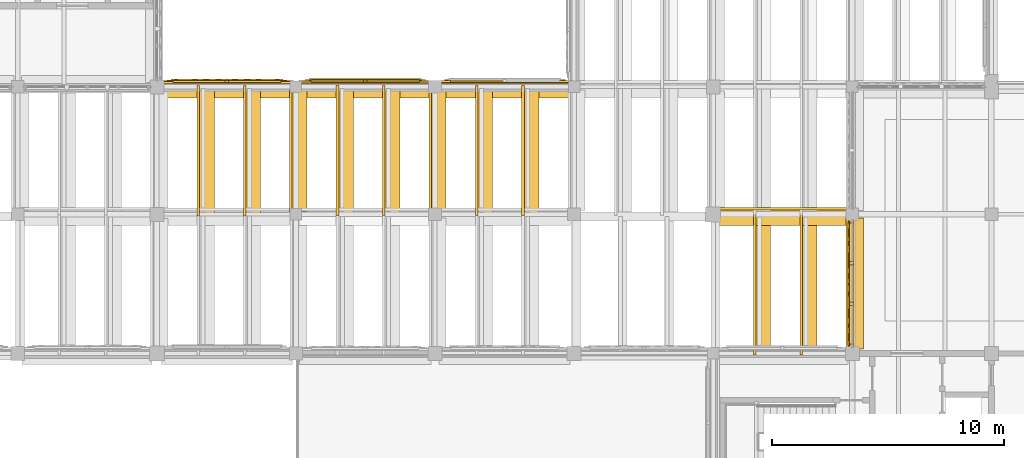
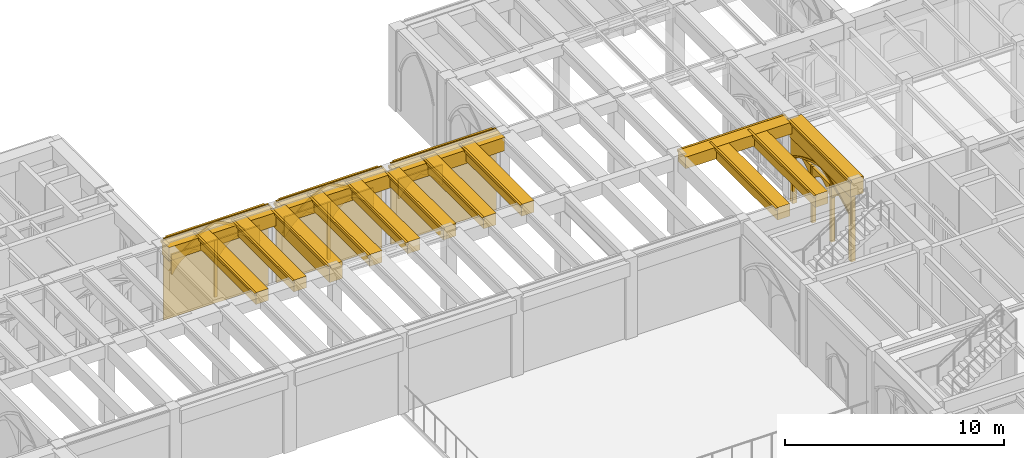
# One storey, part 103 of 127: 52 coverings.
"""IFC4 building model written with IfcOpenShell, lengths in metres."""

from ifc_helpers import new_model, si_unit, direction, frame, origin, origin_2d, place, context, subcontext, project, spatial, polyline, rectangle, outline, extrude, material, type_object, element, save


model = new_model("IFC4")

# Units and contexts
model_context = context("Model", 3, precision=1e-05, world=origin(), true_north=direction((0.0, 1.0)))
body_context = subcontext(model_context, "Body", "Model", "MODEL_VIEW")
ifc_project = project(units=[si_unit("LENGTHUNIT", "METRE"), si_unit("AREAUNIT", "SQUARE_METRE"), si_unit("VOLUMEUNIT", "CUBIC_METRE"), si_unit("PLANEANGLEUNIT", "RADIAN"), si_unit("MASSUNIT", "GRAM", prefix="KILO")], contexts=[model_context])

# Site, building, storey
site_placement = place(None, origin())
site = spatial("IfcSite", under=ifc_project, at=site_placement, CompositionType="ELEMENT")
building_placement = place(site_placement, origin())
building = spatial("IfcBuilding", under=site, at=building_placement, Name="Cumevento Cable Car Station", CompositionType="ELEMENT")
storey_placement = place(building_placement, frame((0.0, 0.0, 4.5)))
storey = spatial("IfcBuildingStorey", under=building, at=storey_placement, Name="L02", CompositionType="ELEMENT", Elevation=4.5)

# Coverings
ifc_material = material(Name="Gnaisse Facoidal Stone Ashlar 85 MPa", Category="masonry")
covering_type = type_object("IfcCoveringType", Name="Gnaisse Ashlar Cladding CV-CL01", PredefinedType="CLADDING", material=ifc_material)
covering_1_placement = place(storey_placement, frame((37.02490234375, 56.35009765625, 3.682861328125), z_axis=(0.0, 0.0, 1.0), x_axis=(1.0, 0.0, 0.0)))
element("IfcCovering", 1, at=covering_1_placement, inside=storey, type_object=covering_type, Name="Gothic Stone Spandrel Stringcourse sc:0362", PredefinedType="CLADDING", context=body_context, shape_type="SweptSolid", body=[
    extrude(rectangle(XDim=5.68994140625, YDim=0.659912109375, at=origin_2d()), origin(), (0.0, 0.0, 1.0), 0.7470703125),
])
covering_2_placement = place(storey_placement, frame((37.02490234375, 56.70751953125, 4.300048828125), z_axis=(0.0, 0.0, 1.0), x_axis=(1.0, 0.0, 0.0)))
element("IfcCovering", 2, at=covering_2_placement, inside=storey, type_object=covering_type, Name="Gothic Cornice Dripstone Lip sc:0362", PredefinedType="CLADDING", context=body_context, shape_type="SweptSolid", body=[
    extrude(rectangle(XDim=5.72998046875, YDim=0.114990234375, at=origin_2d()), origin(), (0.0, 0.0, 1.0), 0.1298828125),
])
covering_3_placement = place(storey_placement, frame((42.987548828125, 56.35009765625, 3.682861328125), z_axis=(0.0, 0.0, 1.0), x_axis=(1.0, 0.0, 0.0)))
element("IfcCovering", 3, at=covering_3_placement, inside=storey, type_object=covering_type, Name="Gothic Stone Spandrel Stringcourse sc:0363", PredefinedType="CLADDING", context=body_context, shape_type="SweptSolid", body=[
    extrude(rectangle(XDim=5.715087890625, YDim=0.659912109375, at=origin_2d()), origin(), (0.0, 0.0, 1.0), 0.7470703125),
])
covering_4_placement = place(storey_placement, frame((42.987548828125, 56.70751953125, 4.300048828125), z_axis=(0.0, 0.0, 1.0), x_axis=(1.0, 0.0, 0.0)))
element("IfcCovering", 4, at=covering_4_placement, inside=storey, type_object=covering_type, Name="Gothic Cornice Dripstone Lip sc:0363", PredefinedType="CLADDING", context=body_context, shape_type="SweptSolid", body=[
    extrude(rectangle(XDim=5.7548828125, YDim=0.114990234375, at=origin_2d()), origin(), (0.0, 0.0, 1.0), 0.1298828125),
])
covering_5_placement = place(storey_placement, frame((49.012451171875, 56.35009765625, 3.64306640625), z_axis=(0.0, 0.0, 1.0), x_axis=(1.0, 0.0, 0.0)))
element("IfcCovering", 5, at=covering_5_placement, inside=storey, type_object=covering_type, Name="Gothic Stone Spandrel Stringcourse sc:0364", PredefinedType="CLADDING", context=body_context, shape_type="SweptSolid", body=[
    extrude(rectangle(XDim=5.715087890625, YDim=0.659912109375, at=origin_2d()), origin(), (0.0, 0.0, 1.0), 0.7470703125),
])
covering_6_placement = place(storey_placement, frame((49.012451171875, 56.70751953125, 4.260009765625), z_axis=(0.0, 0.0, 1.0), x_axis=(1.0, 0.0, 0.0)))
element("IfcCovering", 6, at=covering_6_placement, inside=storey, type_object=covering_type, Name="Gothic Cornice Dripstone Lip sc:0364", PredefinedType="CLADDING", context=body_context, shape_type="SweptSolid", body=[
    extrude(rectangle(XDim=5.7548828125, YDim=0.114990234375, at=origin_2d()), origin(), (0.0, 0.0, 1.0), 0.1298828125),
])
covering_7_placement = place(storey_placement, frame((40.14306640625, 53.75, 3.48193359375), z_axis=(0.0, 0.0, 1.0), x_axis=(0.0, 1.0, 0.0)))
element("IfcCovering", 7, at=covering_7_placement, inside=storey, type_object=covering_type, Name="Gothic Stone Spandrel Stringcourse sc:0372", PredefinedType="CLADDING", context=body_context, shape_type="SweptSolid", body=[
    extrude(rectangle(XDim=5.239990234375, YDim=0.674072265625, at=origin_2d()), origin(), (0.0, 0.0, 1.0), 0.947998046875),
])
covering_8_placement = place(storey_placement, frame((39.778564453125, 53.75, 4.300048828125), z_axis=(0.0, 0.0, 1.0), x_axis=(0.0, 1.0, 0.0)))
element("IfcCovering", 8, at=covering_8_placement, inside=storey, type_object=covering_type, Name="Gothic Cornice Dripstone Lip sc:0372", PredefinedType="CLADDING", context=body_context, shape_type="SweptSolid", body=[
    extrude(rectangle(XDim=5.280029296875, YDim=0.114990234375, at=origin_2d()), origin(), (0.0, 0.0, 1.0), 0.1298828125),
])
covering_9_placement = place(storey_placement, frame((46.148681640625, 53.75, 3.73583984375), z_axis=(0.0, 0.0, 1.0), x_axis=(0.0, 1.0, 0.0)))
element("IfcCovering", 9, at=covering_9_placement, inside=storey, type_object=covering_type, Name="Gothic Stone Spandrel Stringcourse sc:0374", PredefinedType="CLADDING", context=body_context, shape_type="SweptSolid", body=[
    extrude(rectangle(XDim=5.18994140625, YDim=0.66259765625, at=origin_2d()), origin(), (0.0, 0.0, 1.0), 0.694091796875),
])
covering_10_placement = place(storey_placement, frame((45.7900390625, 53.75, 4.300048828125), z_axis=(0.0, 0.0, 1.0), x_axis=(0.0, 1.0, 0.0)))
element("IfcCovering", 10, at=covering_10_placement, inside=storey, type_object=covering_type, Name="Gothic Cornice Dripstone Lip sc:0374", PredefinedType="CLADDING", context=body_context, shape_type="SweptSolid", body=[
    extrude(rectangle(XDim=5.22998046875, YDim=0.114990234375, at=origin_2d()), origin(), (0.0, 0.0, 1.0), 0.1298828125),
])
covering_11_placement = place(storey_placement, frame((61.02490234375, 50.863525390625, 3.743896484375), z_axis=(0.0, 0.0, 1.0), x_axis=(1.0, 0.0, 0.0)))
element("IfcCovering", 11, at=covering_11_placement, inside=storey, type_object=covering_type, Name="Gothic Stone Spandrel Stringcourse sc:0385", PredefinedType="CLADDING", context=body_context, shape_type="SweptSolid", body=[
    extrude(rectangle(XDim=5.639892578125, YDim=0.68701171875, at=origin_2d()), origin(), (0.0, 0.0, 1.0), 0.64599609375),
])
covering_12_placement = place(storey_placement, frame((61.02490234375, 51.234619140625, 4.260009765625), z_axis=(0.0, 0.0, 1.0), x_axis=(1.0, 0.0, 0.0)))
element("IfcCovering", 12, at=covering_12_placement, inside=storey, type_object=covering_type, Name="Gothic Cornice Dripstone Lip sc:0385", PredefinedType="CLADDING", context=body_context, shape_type="SweptSolid", body=[
    extrude(rectangle(XDim=5.679931640625, YDim=0.114990234375, at=origin_2d()), origin(), (0.0, 0.0, 1.0), 0.1298828125),
])
covering_13_placement = place(storey_placement, frame((64.14306640625, 48.012451171875, 3.44189453125), z_axis=(0.0, 0.0, 1.0), x_axis=(0.0, 1.0, 0.0)))
element("IfcCovering", 13, at=covering_13_placement, inside=storey, type_object=covering_type, Name="Gothic Stone Spandrel Stringcourse sc:0390", PredefinedType="CLADDING", context=body_context, shape_type="SweptSolid", body=[
    extrude(rectangle(XDim=5.6650390625, YDim=0.674072265625, at=origin_2d()), origin(), (0.0, 0.0, 1.0), 0.947998046875),
])
covering_14_placement = place(storey_placement, frame((63.778564453125, 48.012451171875, 4.260009765625), z_axis=(0.0, 0.0, 1.0), x_axis=(0.0, 1.0, 0.0)))
element("IfcCovering", 14, at=covering_14_placement, inside=storey, type_object=covering_type, Name="Gothic Cornice Dripstone Lip sc:0390", PredefinedType="CLADDING", context=body_context, shape_type="SweptSolid", body=[
    extrude(rectangle(XDim=5.705078125, YDim=0.114990234375, at=origin_2d()), origin(), (0.0, 0.0, 1.0), 0.1298828125),
])
covering_15_placement = place(storey_placement, frame((36.14990234375, 53.742431640625, 3.77294921875), z_axis=(0.0, 0.0, 1.0), x_axis=(0.0, 1.0, 0.0)))
element("IfcCovering", 15, at=covering_15_placement, inside=storey, type_object=covering_type, Name="Gothic Stone Spandrel Stringcourse sc:0501", PredefinedType="CLADDING", context=body_context, shape_type="SweptSolid", body=[
    extrude(rectangle(XDim=5.60107421875, YDim=0.659912109375, at=origin_2d()), origin(), (0.0, 0.0, 1.0), 0.656982421875),
])
covering_16_placement = place(storey_placement, frame((35.79248046875, 53.742431640625, 4.300048828125), z_axis=(0.0, 0.0, 1.0), x_axis=(0.0, 1.0, 0.0)))
element("IfcCovering", 16, at=covering_16_placement, inside=storey, type_object=covering_type, Name="Gothic Cornice Dripstone Lip sc:0501", PredefinedType="CLADDING", context=body_context, shape_type="SweptSolid", body=[
    extrude(rectangle(XDim=5.64111328125, YDim=0.114990234375, at=origin_2d()), origin(), (0.0, 0.0, 1.0), 0.1298828125),
])
covering_17_placement = place(storey_placement, frame((38.14990234375, 53.742431640625, 3.77294921875), z_axis=(0.0, 0.0, 1.0), x_axis=(0.0, 1.0, 0.0)))
element("IfcCovering", 17, at=covering_17_placement, inside=storey, type_object=covering_type, Name="Gothic Stone Spandrel Stringcourse sc:0503", PredefinedType="CLADDING", context=body_context, shape_type="SweptSolid", body=[
    extrude(rectangle(XDim=5.60107421875, YDim=0.659912109375, at=origin_2d()), origin(), (0.0, 0.0, 1.0), 0.656982421875),
])
covering_18_placement = place(storey_placement, frame((37.79248046875, 53.742431640625, 4.300048828125), z_axis=(0.0, 0.0, 1.0), x_axis=(0.0, 1.0, 0.0)))
element("IfcCovering", 18, at=covering_18_placement, inside=storey, type_object=covering_type, Name="Gothic Cornice Dripstone Lip sc:0503", PredefinedType="CLADDING", context=body_context, shape_type="SweptSolid", body=[
    extrude(rectangle(XDim=5.64111328125, YDim=0.114990234375, at=origin_2d()), origin(), (0.0, 0.0, 1.0), 0.1298828125),
])
covering_19_placement = place(storey_placement, frame((42.14990234375, 53.75634765625, 3.77294921875), z_axis=(0.0, 0.0, 1.0), x_axis=(0.0, 1.0, 0.0)))
element("IfcCovering", 19, at=covering_19_placement, inside=storey, type_object=covering_type, Name="Gothic Stone Spandrel Stringcourse sc:0505", PredefinedType="CLADDING", context=body_context, shape_type="SweptSolid", body=[
    extrude(rectangle(XDim=5.573486328125, YDim=0.659912109375, at=origin_2d()), origin(), (0.0, 0.0, 1.0), 0.656982421875),
])
covering_20_placement = place(storey_placement, frame((41.79248046875, 53.75634765625, 4.300048828125), z_axis=(0.0, 0.0, 1.0), x_axis=(0.0, 1.0, 0.0)))
element("IfcCovering", 20, at=covering_20_placement, inside=storey, type_object=covering_type, Name="Gothic Cornice Dripstone Lip sc:0505", PredefinedType="CLADDING", context=body_context, shape_type="SweptSolid", body=[
    extrude(rectangle(XDim=5.613525390625, YDim=0.114990234375, at=origin_2d()), origin(), (0.0, 0.0, 1.0), 0.1298828125),
])
covering_21_placement = place(storey_placement, frame((44.14990234375, 53.75634765625, 3.77294921875), z_axis=(0.0, 0.0, 1.0), x_axis=(0.0, 1.0, 0.0)))
element("IfcCovering", 21, at=covering_21_placement, inside=storey, type_object=covering_type, Name="Gothic Stone Spandrel Stringcourse sc:0507", PredefinedType="CLADDING", context=body_context, shape_type="SweptSolid", body=[
    extrude(rectangle(XDim=5.573486328125, YDim=0.659912109375, at=origin_2d()), origin(), (0.0, 0.0, 1.0), 0.656982421875),
])
covering_22_placement = place(storey_placement, frame((43.79248046875, 53.75634765625, 4.300048828125), z_axis=(0.0, 0.0, 1.0), x_axis=(0.0, 1.0, 0.0)))
element("IfcCovering", 22, at=covering_22_placement, inside=storey, type_object=covering_type, Name="Gothic Cornice Dripstone Lip sc:0507", PredefinedType="CLADDING", context=body_context, shape_type="SweptSolid", body=[
    extrude(rectangle(XDim=5.613525390625, YDim=0.114990234375, at=origin_2d()), origin(), (0.0, 0.0, 1.0), 0.1298828125),
])
covering_23_placement = place(storey_placement, frame((48.14990234375, 53.75048828125, 3.77294921875), z_axis=(0.0, 0.0, 1.0), x_axis=(0.0, 1.0, 0.0)))
element("IfcCovering", 23, at=covering_23_placement, inside=storey, type_object=covering_type, Name="Gothic Stone Spandrel Stringcourse sc:0509", PredefinedType="CLADDING", context=body_context, shape_type="SweptSolid", body=[
    extrude(rectangle(XDim=5.5849609375, YDim=0.659912109375, at=origin_2d()), origin(), (0.0, 0.0, 1.0), 0.656982421875),
])
covering_24_placement = place(storey_placement, frame((47.79248046875, 53.75048828125, 4.300048828125), z_axis=(0.0, 0.0, 1.0), x_axis=(0.0, 1.0, 0.0)))
element("IfcCovering", 24, at=covering_24_placement, inside=storey, type_object=covering_type, Name="Gothic Cornice Dripstone Lip sc:0509", PredefinedType="CLADDING", context=body_context, shape_type="SweptSolid", body=[
    extrude(rectangle(XDim=5.625, YDim=0.114990234375, at=origin_2d()), origin(), (0.0, 0.0, 1.0), 0.1298828125),
])
covering_25_placement = place(storey_placement, frame((50.14990234375, 53.75048828125, 3.77294921875), z_axis=(0.0, 0.0, 1.0), x_axis=(0.0, 1.0, 0.0)))
element("IfcCovering", 25, at=covering_25_placement, inside=storey, type_object=covering_type, Name="Gothic Stone Spandrel Stringcourse sc:0511", PredefinedType="CLADDING", context=body_context, shape_type="SweptSolid", body=[
    extrude(rectangle(XDim=5.5849609375, YDim=0.659912109375, at=origin_2d()), origin(), (0.0, 0.0, 1.0), 0.656982421875),
])
covering_26_placement = place(storey_placement, frame((49.79248046875, 53.75048828125, 4.300048828125), z_axis=(0.0, 0.0, 1.0), x_axis=(0.0, 1.0, 0.0)))
element("IfcCovering", 26, at=covering_26_placement, inside=storey, type_object=covering_type, Name="Gothic Cornice Dripstone Lip sc:0511", PredefinedType="CLADDING", context=body_context, shape_type="SweptSolid", body=[
    extrude(rectangle(XDim=5.625, YDim=0.114990234375, at=origin_2d()), origin(), (0.0, 0.0, 1.0), 0.1298828125),
])
covering_27_placement = place(storey_placement, frame((60.14990234375, 47.9814453125, 3.69482421875), z_axis=(0.0, 0.0, 1.0), x_axis=(0.0, 1.0, 0.0)))
element("IfcCovering", 27, at=covering_27_placement, inside=storey, type_object=covering_type, Name="Gothic Stone Spandrel Stringcourse sc:0516", PredefinedType="CLADDING", context=body_context, shape_type="SweptSolid", body=[
    extrude(rectangle(XDim=6.047119140625, YDim=0.659912109375, at=origin_2d()), origin(), (0.0, 0.0, 1.0), 0.695068359375),
])
covering_28_placement = place(storey_placement, frame((59.79248046875, 47.9814453125, 4.260009765625), z_axis=(0.0, 0.0, 1.0), x_axis=(0.0, 1.0, 0.0)))
element("IfcCovering", 28, at=covering_28_placement, inside=storey, type_object=covering_type, Name="Gothic Cornice Dripstone Lip sc:0516", PredefinedType="CLADDING", context=body_context, shape_type="SweptSolid", body=[
    extrude(rectangle(XDim=6.0869140625, YDim=0.114990234375, at=origin_2d()), origin(), (0.0, 0.0, 1.0), 0.1298828125),
])
covering_29_placement = place(storey_placement, frame((62.14990234375, 47.9814453125, 3.69482421875), z_axis=(0.0, 0.0, 1.0), x_axis=(0.0, 1.0, 0.0)))
element("IfcCovering", 29, at=covering_29_placement, inside=storey, type_object=covering_type, Name="Gothic Stone Spandrel Stringcourse sc:0518", PredefinedType="CLADDING", context=body_context, shape_type="SweptSolid", body=[
    extrude(rectangle(XDim=6.047119140625, YDim=0.659912109375, at=origin_2d()), origin(), (0.0, 0.0, 1.0), 0.695068359375),
])
covering_30_placement = place(storey_placement, frame((61.79248046875, 47.9814453125, 4.260009765625), z_axis=(0.0, 0.0, 1.0), x_axis=(0.0, 1.0, 0.0)))
element("IfcCovering", 30, at=covering_30_placement, inside=storey, type_object=covering_type, Name="Gothic Cornice Dripstone Lip sc:0518", PredefinedType="CLADDING", context=body_context, shape_type="SweptSolid", body=[
    extrude(rectangle(XDim=6.0869140625, YDim=0.114990234375, at=origin_2d()), origin(), (0.0, 0.0, 1.0), 0.1298828125),
])
placement_1 = place(storey_placement, frame((64.0, 45.300048828125, -0.219970703125), z_axis=(0.0, 0.0, 1.0), x_axis=(0.0, 1.0, 0.0)))
element("IfcCovering", 31, at=placement_1, inside=storey, type_object=covering_type, Name="Gothic Ogival Pointed-Arch Stone Spandrel cw_ogival:0062", PredefinedType="CLADDING", context=body_context, shape_type="SweptSolid", body=[
    extrude(outline(polyline([(-0.080078125, 0.0), (-0.080078125, 3.802001953125), (5.5048828125, 3.802001953125), (5.5048828125, 0.0), (5.264892578125, 0.0), (5.264892578125, 2.626953125), (4.9658203125, 2.794921875), (4.659912109375, 2.950439453125), (4.34765625, 3.0927734375), (4.02978515625, 3.221923828125), (3.706787109375, 3.337646484375), (3.379150390625, 3.439697265625), (3.047607421875, 3.52783203125), (2.71240234375, 3.60205078125), (2.37744140625, 3.52783203125), (2.0458984375, 3.439697265625), (1.71826171875, 3.337646484375), (1.395263671875, 3.221923828125), (1.077392578125, 3.0927734375), (0.76513671875, 2.950439453125), (0.459228515625, 2.794921875), (0.159912109375, 2.626953125), (0.159912109375, 0.0), (-0.080078125, 0.0)])), frame((0.0, 0.139892578125, 0.0), z_axis=(0.0, -1.0, 0.0), x_axis=(1.0, 0.0, 0.0)), (0.0, 0.0, 1.0), 0.219970703125),
])
covering_32_placement = place(storey_placement, frame((64.0, 45.300048828125, 2.406982421875), z_axis=(0.0, 0.0, 1.0), x_axis=(0.0, 1.0, 0.0)))
element("IfcCovering", 32, at=covering_32_placement, inside=storey, type_object=covering_type, Name="Gothic Pointed Archivolt Hood Moulding cw_ogival:0062", PredefinedType="CLADDING", context=body_context, shape_type="SweptSolid", body=[
    extrude(outline(polyline([(0.159912109375, 0.0), (0.459228515625, 0.16796875), (0.76513671875, 0.323486328125), (1.077392578125, 0.4658203125), (1.395263671875, 0.594970703125), (1.71826171875, 0.710693359375), (2.0458984375, 0.812744140625), (2.37744140625, 0.90087890625), (2.71240234375, 0.97509765625), (3.047607421875, 0.90087890625), (3.379150390625, 0.812744140625), (3.706787109375, 0.710693359375), (4.02978515625, 0.594970703125), (4.34765625, 0.4658203125), (4.659912109375, 0.323486328125), (4.9658203125, 0.16796875), (5.264892578125, 0.0), (5.375, 0.0), (5.06689453125, 0.191162109375), (4.750244140625, 0.3681640625), (4.426025390625, 0.530517578125), (4.094482421875, 0.677734375), (3.7568359375, 0.81005859375), (3.41357421875, 0.9267578125), (3.065185546875, 1.027587890625), (2.71240234375, 1.112548828125), (2.35986328125, 1.027587890625), (2.011474609375, 0.9267578125), (1.668212890625, 0.81005859375), (1.33056640625, 0.677734375), (0.9990234375, 0.530517578125), (0.6748046875, 0.3681640625), (0.358154296875, 0.191162109375), (0.050048828125, 0.0), (0.159912109375, 0.0)])), frame((0.0, 0.181884765625, 0.0), z_axis=(0.0, -1.0, 0.0), x_axis=(1.0, 0.0, 0.0)), (0.0, 0.0, 1.0), 0.06689453125),
])
element("IfcCovering", 33, at=placement_1, inside=storey, type_object=covering_type, Name="Gothic Bifora Stone Colonnette cw_ogival:0062 #1", PredefinedType="CLADDING", context=body_context, shape_type="SweptSolid", body=[
    extrude(outline(polyline([(1.76171875, -0.02001953125), (1.91162109375, -0.02001953125), (1.91162109375, 3.134033203125), (1.76171875, 3.134033203125), (1.76171875, -0.02001953125)])), frame((0.0, 0.1279296875, 0.0), z_axis=(0.0, -1.0, 0.0), x_axis=(1.0, 0.0, 0.0)), (0.0, 0.0, 1.0), 0.205078125),
])
element("IfcCovering", 34, at=placement_1, inside=storey, type_object=covering_type, Name="Gothic Bifora Stone Colonnette cw_ogival:0062 #2", PredefinedType="CLADDING", context=body_context, shape_type="SweptSolid", body=[
    extrude(outline(polyline([(3.513427734375, -0.02001953125), (3.663330078125, -0.02001953125), (3.663330078125, 3.134033203125), (3.513427734375, 3.134033203125), (3.513427734375, -0.02001953125)])), frame((0.0, 0.1279296875, 0.0), z_axis=(0.0, -1.0, 0.0), x_axis=(1.0, 0.0, 0.0)), (0.0, 0.0, 1.0), 0.205078125),
])
for number, where, z_axis, x_axis, name in (
    (35, (64.0, 45.429931640625, 2.226806640625), (0.0, 0.0, 1.0), (0.0, 1.0, 0.0), "Gothic Ogival Pointed-Arch Stone Spandrel cw_ogival:0062:sub:0"),
    (36, (64.0, 47.181640625, 2.226806640625), (0.0, 0.0, 1.0), (0.0, 1.0, 0.0), "Gothic Ogival Pointed-Arch Stone Spandrel cw_ogival:0062:sub:1"),
    (37, (64.0, 48.933349609375, 2.226806640625), (0.0, 0.0, 1.0), (0.0, 1.0, 0.0), "Gothic Ogival Pointed-Arch Stone Spandrel cw_ogival:0062:sub:2"),
):
    element("IfcCovering", number, at=place(storey_placement, frame(where, z_axis=z_axis, x_axis=x_axis)), inside=storey, type_object=covering_type, Name=name, PredefinedType="CLADDING", context=body_context, shape_type="SweptSolid", body=[
        extrude(outline(polyline([(-0.02001953125, 0.0), (-0.02001953125, 0.68701171875), (1.681640625, 0.68701171875), (1.681640625, 0.0), (1.62158203125, 0.0), (1.514404296875, 0.12451171875), (1.39599609375, 0.238525390625), (1.26708984375, 0.340576171875), (1.129150390625, 0.429931640625), (0.983154296875, 0.505615234375), (0.830810546875, 0.567138671875), (0.678466796875, 0.505615234375), (0.532470703125, 0.429931640625), (0.39453125, 0.340576171875), (0.265625, 0.238525390625), (0.147216796875, 0.12451171875), (0.0400390625, 0.0), (-0.02001953125, 0.0)])), frame((0.0, 0.1240234375, 0.0), z_axis=(0.0, -1.0, 0.0), x_axis=(1.0, 0.0, 0.0)), (0.0, 0.0, 1.0), 0.199951171875),
    ])
covering_35_placement = place(storey_placement, frame((34.300048828125, 56.5, 0.0), z_axis=(0.0, 0.0, 1.0), x_axis=(1.0, 0.0, 0.0)))
element("IfcCovering", 38, at=covering_35_placement, inside=storey, type_object=covering_type, Name="Exterior Gnaisse Stone Wall Ashlar #26", PredefinedType="CLADDING", context=body_context, shape_type="SweptSolid", body=[
    extrude(outline(polyline([(-0.0400390625, -0.02001953125), (5.489990234375, -0.02001953125), (5.489990234375, 4.52001953125), (-0.0400390625, 4.52001953125), (-0.0400390625, -0.02001953125)])), frame((0.0, 0.237548828125, 0.0), z_axis=(0.0, -1.0, 0.0), x_axis=(1.0, 0.0, 0.0)), (0.0, 0.0, 1.0), 0.0849609375),
])
placement_2 = place(storey_placement, frame((34.47998046875, 56.5, 0.300048828125), z_axis=(0.0, 0.0, 1.0), x_axis=(1.0, 0.0, 0.0)))
element("IfcCovering", 39, at=placement_2, inside=storey, type_object=covering_type, Name="Gothic Ogival Pointed-Arch Stone Spandrel blind_ogival:0026", PredefinedType="CLADDING", context=body_context, shape_type="SweptSolid", body=[
    extrude(outline(polyline([(-0.050048828125, 0.0), (-0.050048828125, 4.239990234375), (5.139892578125, 4.239990234375), (5.139892578125, 0.0), (4.830078125, 0.0), (4.830078125, 2.219970703125), (4.577880859375, 2.558349609375), (4.297119140625, 2.873291015625), (3.98974609375, 3.16259765625), (3.658203125, 3.423583984375), (3.30517578125, 3.65478515625), (2.93310546875, 3.85400390625), (2.544921875, 4.02001953125), (2.156982421875, 3.85400390625), (1.784912109375, 3.65478515625), (1.431884765625, 3.423583984375), (1.100341796875, 3.16259765625), (0.79296875, 2.873291015625), (0.51220703125, 2.558349609375), (0.260009765625, 2.219970703125), (0.260009765625, 0.0), (-0.050048828125, 0.0)])), frame((0.0, 0.29248046875, 0.0), z_axis=(0.0, -1.0, 0.0), x_axis=(1.0, 0.0, 0.0)), (0.0, 0.0, 1.0), 0.110107421875),
])
covering_37_placement = place(storey_placement, frame((34.47998046875, 56.5, 2.52001953125), z_axis=(0.0, 0.0, 1.0), x_axis=(1.0, 0.0, 0.0)))
element("IfcCovering", 40, at=covering_37_placement, inside=storey, type_object=covering_type, Name="Gothic Pointed Archivolt Hood Moulding blind_ogival:0026", PredefinedType="CLADDING", context=body_context, shape_type="SweptSolid", body=[
    extrude(outline(polyline([(0.260009765625, 0.0), (0.51220703125, 0.33837890625), (0.79296875, 0.6533203125), (1.100341796875, 0.942626953125), (1.431884765625, 1.20361328125), (1.784912109375, 1.434814453125), (2.156982421875, 1.634033203125), (2.544921875, 1.800048828125), (2.93310546875, 1.634033203125), (3.30517578125, 1.434814453125), (3.658203125, 1.20361328125), (3.98974609375, 0.942626953125), (4.297119140625, 0.6533203125), (4.577880859375, 0.33837890625), (4.830078125, 0.0), (4.950927734375, 0.0), (4.689453125, 0.36572265625), (4.396240234375, 0.706787109375), (4.07373046875, 1.020263671875), (3.724365234375, 1.303466796875), (3.351318359375, 1.554443359375), (2.95703125, 1.770751953125), (2.544921875, 1.951171875), (2.133056640625, 1.770751953125), (1.73876953125, 1.554443359375), (1.36572265625, 1.303466796875), (1.016357421875, 1.020263671875), (0.69384765625, 0.706787109375), (0.400634765625, 0.36572265625), (0.138916015625, 0.0), (0.260009765625, 0.0)])), frame((0.0, 0.33447265625, 0.0), z_axis=(0.0, -1.0, 0.0), x_axis=(1.0, 0.0, 0.0)), (0.0, 0.0, 1.0), 0.06689453125),
])
element("IfcCovering", 41, at=placement_2, inside=storey, type_object=covering_type, Name="Gothic Bifora Stone Colonnette blind_ogival:0026 #1", PredefinedType="CLADDING", context=body_context, shape_type="SweptSolid", body=[
    extrude(outline(polyline([(2.469970703125, -0.02001953125), (2.6201171875, -0.02001953125), (2.6201171875, 3.156005859375), (2.469970703125, 3.156005859375), (2.469970703125, -0.02001953125)])), frame((0.0, 0.280517578125, 0.0), z_axis=(0.0, -1.0, 0.0), x_axis=(1.0, 0.0, 0.0)), (0.0, 0.0, 1.0), 0.094970703125),
])
for number, where, z_axis, x_axis, name in (
    (42, (34.7099609375, 56.5, 2.340087890625), (0.0, 0.0, 1.0), (1.0, 0.0, 0.0), "Gothic Ogival Pointed-Arch Stone Spandrel blind_ogival:0026:sub:0"),
    (43, (37.070068359375, 56.5, 2.340087890625), (0.0, 0.0, 1.0), (1.0, 0.0, 0.0), "Gothic Ogival Pointed-Arch Stone Spandrel blind_ogival:0026:sub:1"),
):
    element("IfcCovering", number, at=place(storey_placement, frame(where, z_axis=z_axis, x_axis=x_axis)), inside=storey, type_object=covering_type, Name=name, PredefinedType="CLADDING", context=body_context, shape_type="SweptSolid", body=[
        extrude(outline(polyline([(-0.02001953125, 0.0), (-0.02001953125, 1.115966796875), (2.2900390625, 1.115966796875), (2.2900390625, 0.0), (2.22998046875, 0.0), (2.0986328125, 0.21435546875), (1.944091796875, 0.412353515625), (1.767822265625, 0.591796875), (1.57275390625, 0.750244140625), (1.36083984375, 0.885498046875), (1.135009765625, 0.99609375), (0.9091796875, 0.885498046875), (0.697265625, 0.750244140625), (0.502197265625, 0.591796875), (0.325927734375, 0.412353515625), (0.17138671875, 0.21435546875), (0.0400390625, 0.0), (-0.02001953125, 0.0)])), frame((0.0, 0.276611328125, 0.0), z_axis=(0.0, -1.0, 0.0), x_axis=(1.0, 0.0, 0.0)), (0.0, 0.0, 1.0), 0.090087890625),
    ])
covering_39_placement = place(storey_placement, frame((40.25, 56.5, 0.0), z_axis=(0.0, 0.0, 1.0), x_axis=(1.0, 0.0, 0.0)))
element("IfcCovering", 44, at=covering_39_placement, inside=storey, type_object=covering_type, Name="Exterior Gnaisse Stone Wall Ashlar #27", PredefinedType="CLADDING", context=body_context, shape_type="SweptSolid", body=[
    extrude(outline(polyline([(-0.0400390625, -0.02001953125), (5.514892578125, -0.02001953125), (5.514892578125, 4.52001953125), (-0.0400390625, 4.52001953125), (-0.0400390625, -0.02001953125)])), frame((0.0, 0.25, 0.0), z_axis=(0.0, -1.0, 0.0), x_axis=(1.0, 0.0, 0.0)), (0.0, 0.0, 1.0), 0.0849609375),
])
placement_3 = place(storey_placement, frame((40.429931640625, 56.5, 0.300048828125), z_axis=(0.0, 0.0, 1.0), x_axis=(1.0, 0.0, 0.0)))
element("IfcCovering", 45, at=placement_3, inside=storey, type_object=covering_type, Name="Gothic Ogival Pointed-Arch Stone Spandrel blind_ogival:0027", PredefinedType="CLADDING", context=body_context, shape_type="SweptSolid", body=[
    extrude(outline(polyline([(-0.050048828125, 0.0), (-0.050048828125, 4.239990234375), (5.1650390625, 4.239990234375), (5.1650390625, 0.0), (4.85498046875, 0.0), (4.85498046875, 2.219970703125), (4.600830078125, 2.55859375), (4.31787109375, 2.87353515625), (4.0087890625, 3.162841796875), (3.67529296875, 3.423828125), (3.320556640625, 3.65478515625), (2.947021484375, 3.85400390625), (2.5576171875, 4.02001953125), (2.16796875, 3.85400390625), (1.79443359375, 3.65478515625), (1.439697265625, 3.423828125), (1.106201171875, 3.162841796875), (0.797119140625, 2.87353515625), (0.51416015625, 2.55859375), (0.260009765625, 2.219970703125), (0.260009765625, 0.0), (-0.050048828125, 0.0)])), frame((0.0, 0.304931640625, 0.0), z_axis=(0.0, -1.0, 0.0), x_axis=(1.0, 0.0, 0.0)), (0.0, 0.0, 1.0), 0.110107421875),
])
covering_41_placement = place(storey_placement, frame((40.429931640625, 56.5, 2.52001953125), z_axis=(0.0, 0.0, 1.0), x_axis=(1.0, 0.0, 0.0)))
element("IfcCovering", 46, at=covering_41_placement, inside=storey, type_object=covering_type, Name="Gothic Pointed Archivolt Hood Moulding blind_ogival:0027", PredefinedType="CLADDING", context=body_context, shape_type="SweptSolid", body=[
    extrude(outline(polyline([(0.260009765625, 0.0), (0.51416015625, 0.338623046875), (0.797119140625, 0.653564453125), (1.106201171875, 0.94287109375), (1.439697265625, 1.203857421875), (1.79443359375, 1.434814453125), (2.16796875, 1.634033203125), (2.5576171875, 1.800048828125), (2.947021484375, 1.634033203125), (3.320556640625, 1.434814453125), (3.67529296875, 1.203857421875), (4.0087890625, 0.94287109375), (4.31787109375, 0.653564453125), (4.600830078125, 0.338623046875), (4.85498046875, 0.0), (4.97607421875, 0.0), (4.71240234375, 0.365966796875), (4.417236328125, 0.70703125), (4.0927734375, 1.0205078125), (3.74169921875, 1.3037109375), (3.36669921875, 1.554443359375), (2.970947265625, 1.77099609375), (2.5576171875, 1.951171875), (2.14404296875, 1.77099609375), (1.748291015625, 1.554443359375), (1.373291015625, 1.3037109375), (1.022216796875, 1.0205078125), (0.69775390625, 0.70703125), (0.402587890625, 0.365966796875), (0.138916015625, 0.0), (0.260009765625, 0.0)])), frame((0.0, 0.346923828125, 0.0), z_axis=(0.0, -1.0, 0.0), x_axis=(1.0, 0.0, 0.0)), (0.0, 0.0, 1.0), 0.06689453125),
])
element("IfcCovering", 47, at=placement_3, inside=storey, type_object=covering_type, Name="Gothic Bifora Stone Colonnette blind_ogival:0027 #1", PredefinedType="CLADDING", context=body_context, shape_type="SweptSolid", body=[
    extrude(outline(polyline([(2.482421875, -0.02001953125), (2.632568359375, -0.02001953125), (2.632568359375, 3.156005859375), (2.482421875, 3.156005859375), (2.482421875, -0.02001953125)])), frame((0.0, 0.29296875, 0.0), z_axis=(0.0, -1.0, 0.0), x_axis=(1.0, 0.0, 0.0)), (0.0, 0.0, 1.0), 0.094970703125),
])
for number, where, z_axis, x_axis, name in (
    (48, (40.659912109375, 56.5, 2.340087890625), (0.0, 0.0, 1.0), (1.0, 0.0, 0.0), "Gothic Ogival Pointed-Arch Stone Spandrel blind_ogival:0027:sub:0"),
    (49, (43.032470703125, 56.5, 2.340087890625), (0.0, 0.0, 1.0), (1.0, 0.0, 0.0), "Gothic Ogival Pointed-Arch Stone Spandrel blind_ogival:0027:sub:1"),
):
    element("IfcCovering", number, at=place(storey_placement, frame(where, z_axis=z_axis, x_axis=x_axis)), inside=storey, type_object=covering_type, Name=name, PredefinedType="CLADDING", context=body_context, shape_type="SweptSolid", body=[
        extrude(outline(polyline([(-0.02001953125, 0.0), (-0.02001953125, 1.115966796875), (2.302490234375, 1.115966796875), (2.302490234375, 0.0), (2.242431640625, 0.0), (2.10986328125, 0.21435546875), (1.9541015625, 0.41259765625), (1.77685546875, 0.592041015625), (1.58056640625, 0.750244140625), (1.367919921875, 0.885498046875), (1.141357421875, 0.99609375), (0.91455078125, 0.885498046875), (0.701904296875, 0.750244140625), (0.505615234375, 0.592041015625), (0.328369140625, 0.41259765625), (0.172607421875, 0.21435546875), (0.0400390625, 0.0), (-0.02001953125, 0.0)])), frame((0.0, 0.2890625, 0.0), z_axis=(0.0, -1.0, 0.0), x_axis=(1.0, 0.0, 0.0)), (0.0, 0.0, 1.0), 0.090087890625),
    ])
covering_43_placement = place(storey_placement, frame((46.27490234375, 56.5, 0.0), z_axis=(0.0, 0.0, 1.0), x_axis=(1.0, 0.0, 0.0)))
element("IfcCovering", 50, at=covering_43_placement, inside=storey, type_object=covering_type, Name="Exterior Gnaisse Stone Wall Ashlar #28", PredefinedType="CLADDING", context=body_context, shape_type="SweptSolid", body=[
    extrude(outline(polyline([(-0.0400390625, -0.02001953125), (5.514892578125, -0.02001953125), (5.514892578125, 4.52001953125), (-0.0400390625, 4.52001953125), (-0.0400390625, -0.02001953125)])), frame((0.0, 0.262451171875, 0.0), z_axis=(0.0, -1.0, 0.0), x_axis=(1.0, 0.0, 0.0)), (0.0, 0.0, 1.0), 0.0849609375),
])
covering_44_placement = place(storey_placement, frame((46.455078125, 56.5, 0.300048828125), z_axis=(0.0, 0.0, 1.0), x_axis=(1.0, 0.0, 0.0)))
element("IfcCovering", 51, at=covering_44_placement, inside=storey, type_object=covering_type, Name="Gothic Ogival Pointed-Arch Stone Spandrel blind_ogival:0028", PredefinedType="CLADDING", context=body_context, shape_type="SweptSolid", body=[
    extrude(outline(polyline([(-0.050048828125, 0.0), (-0.050048828125, 4.239990234375), (5.1650390625, 4.239990234375), (5.1650390625, 0.0), (4.85498046875, 0.0), (4.85498046875, 2.219970703125), (4.600830078125, 2.55859375), (4.31787109375, 2.87353515625), (4.0087890625, 3.162841796875), (3.67529296875, 3.423828125), (3.320556640625, 3.65478515625), (2.947021484375, 3.85400390625), (2.5576171875, 4.02001953125), (2.16796875, 3.85400390625), (1.79443359375, 3.65478515625), (1.439697265625, 3.423828125), (1.106201171875, 3.162841796875), (0.797119140625, 2.87353515625), (0.51416015625, 2.55859375), (0.260009765625, 2.219970703125), (0.260009765625, 0.0), (-0.050048828125, 0.0)])), frame((0.0, 0.3173828125, 0.0), z_axis=(0.0, -1.0, 0.0), x_axis=(1.0, 0.0, 0.0)), (0.0, 0.0, 1.0), 0.110107421875),
])
covering_45_placement = place(storey_placement, frame((46.68505859375, 56.5, 2.340087890625), z_axis=(0.0, 0.0, 1.0), x_axis=(1.0, 0.0, 0.0)))
element("IfcCovering", 52, at=covering_45_placement, inside=storey, type_object=covering_type, Name="Gothic Ogival Pointed-Arch Stone Spandrel blind_ogival:0028:sub:0", PredefinedType="CLADDING", context=body_context, shape_type="SweptSolid", body=[
    extrude(outline(polyline([(-0.02001953125, 0.0), (-0.02001953125, 1.115966796875), (2.302490234375, 1.115966796875), (2.302490234375, 0.0), (2.242431640625, 0.0), (2.10986328125, 0.21435546875), (1.9541015625, 0.41259765625), (1.77685546875, 0.592041015625), (1.58056640625, 0.750244140625), (1.367919921875, 0.885498046875), (1.141357421875, 0.99609375), (0.91455078125, 0.885498046875), (0.701904296875, 0.750244140625), (0.505615234375, 0.592041015625), (0.328369140625, 0.41259765625), (0.172607421875, 0.21435546875), (0.0400390625, 0.0), (-0.02001953125, 0.0)])), frame((0.0, 0.301513671875, 0.0), z_axis=(0.0, -1.0, 0.0), x_axis=(1.0, 0.0, 0.0)), (0.0, 0.0, 1.0), 0.090087890625),
])

save(model, "model.ifc")
